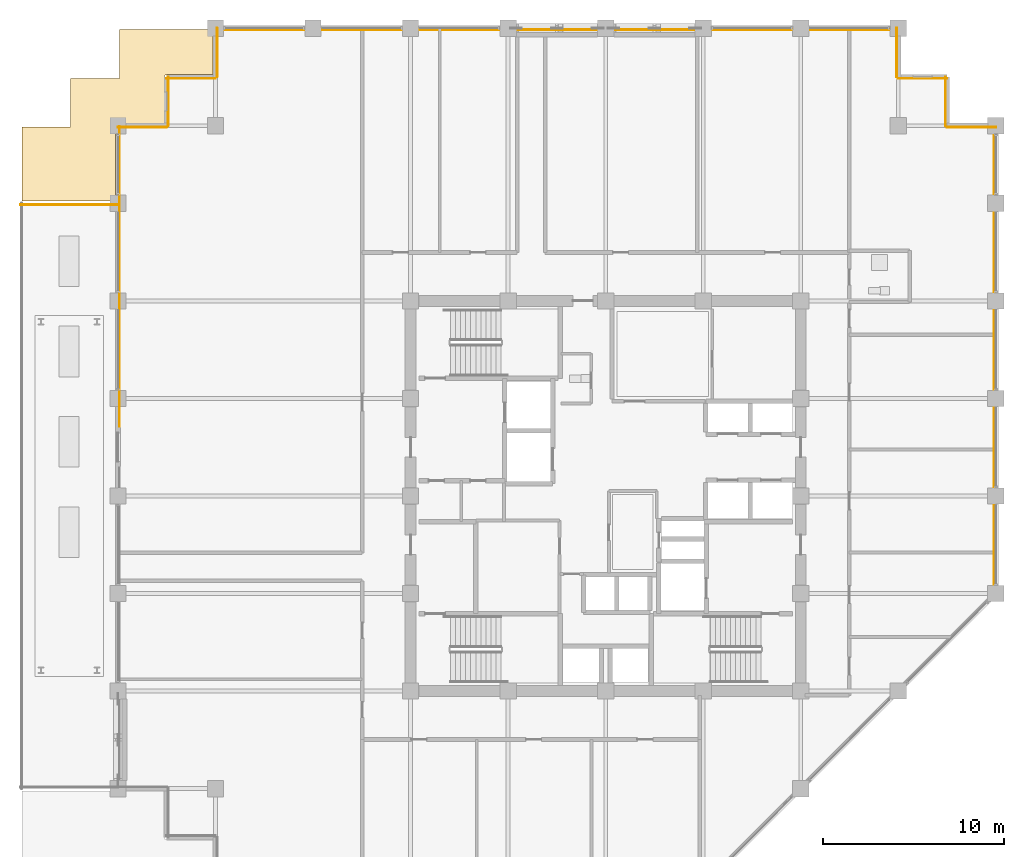
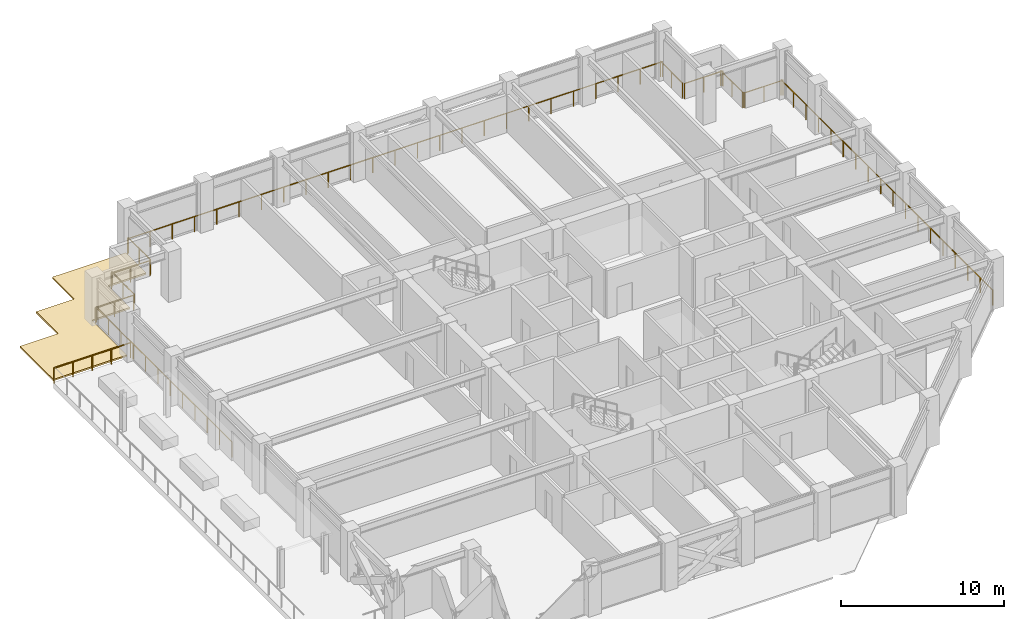
# One storey, part 34 of 36: 12 railings, 1 covering.
"""IFC4 building model written with IfcOpenShell, lengths in metres."""

import ifcopenshell
import ifcopenshell.guid

model = None  # the IFC model being written
_history = None  # IfcOwnerHistory: only IFC2X3 demands one
_inside = {}  # id of a spatial element -> (the spatial element, [elements in it])
_under = {}  # id of a project, library or spatial element -> (it, [spatial elements below it])
_declared = {}  # id of a project -> (the project, [libraries it declares])
_typed = {}  # id of a type object -> (the type object, [elements of that type])
_made_of = {}  # id of a material, layer set ... -> (it, [elements and type objects made of it])


def new_model(schema):
    """Start an empty IFC model of exactly this schema.

    Asked for "IFC4X3", IfcOpenShell would pick the latest addendum, in which some entities
    have other attributes; the version numbers below select the first issue.
    IFC2X3 requires an IfcOwnerHistory on every rooted entity: one is made here for all.
    """
    global model, _history
    if schema == "IFC4X3":
        model = ifcopenshell.file(schema_version=(4, 3, 0, 0))
    else:
        model = ifcopenshell.file(schema=schema)
    _inside.clear()
    _under.clear()
    _declared.clear()
    _typed.clear()
    _made_of.clear()
    _history = None
    if model.schema == "IFC2X3":
        org = make("IfcOrganization", Name="unknown")
        user = make(
            "IfcPersonAndOrganization",
            ThePerson=make("IfcPerson", FamilyName="unknown"),
            TheOrganization=org,
        )
        app = make(
            "IfcApplication",
            ApplicationDeveloper=org,
            Version="unknown",
            ApplicationFullName="unknown",
            ApplicationIdentifier="unknown",
        )
        _history = make(
            "IfcOwnerHistory",
            OwningUser=user,
            OwningApplication=app,
            ChangeAction="ADDED",
            CreationDate=0,
        )
    return model


def make(cls, **values):
    """One entity of the class cls with the attributes given. An attribute that is None is left unset."""
    return model.create_entity(
        cls, **{name: value for name, value in values.items() if value is not None}
    )


def rooted(cls, **values):
    """An entity with a GlobalId (a new one), such as an element, a storey or a relation."""
    return make(cls, GlobalId=ifcopenshell.guid.new(), OwnerHistory=_history, **values)


def si_unit(unit_type, name, prefix=None):
    """IfcSIUnit, for example si_unit("LENGTHUNIT", "METRE", prefix="MILLI")."""
    return make("IfcSIUnit", UnitType=unit_type, Prefix=prefix, Name=name)


def assignment(units):
    """IfcUnitAssignment: the units of a project."""
    return None if units is None else make("IfcUnitAssignment", Units=units)


def point(xyz):
    """IfcCartesianPoint."""
    return None if xyz is None else make("IfcCartesianPoint", Coordinates=xyz)


def direction(xyz):
    """IfcDirection."""
    return None if xyz is None else make("IfcDirection", DirectionRatios=xyz)


def frame(location, z_axis=None, x_axis=None):
    """IfcAxis2Placement3D, a coordinate frame: its origin and axes. An axis left out is left unset."""
    return make(
        "IfcAxis2Placement3D",
        Location=point(location),
        Axis=direction(z_axis),
        RefDirection=direction(x_axis),
    )


def frame_2d(location, x_axis=None):
    """IfcAxis2Placement2D, a coordinate frame in the plane: its origin and x axis."""
    return make(
        "IfcAxis2Placement2D", Location=point(location), RefDirection=direction(x_axis)
    )


def origin():
    """The frame at (0, 0, 0) with its axes left unset."""
    return frame((0.0, 0.0, 0.0))


def origin_2d():
    """The frame at (0, 0) in the plane with its x axis left unset."""
    return frame_2d((0.0, 0.0))


def place(relative_to, where):
    """IfcLocalPlacement: puts the frame where relative to a parent placement (None: the world)."""
    return make(
        "IfcLocalPlacement", PlacementRelTo=relative_to, RelativePlacement=where
    )


def context(
    kind, dimensions, precision=None, world=None, true_north=None, identifier=None
):
    """IfcGeometricRepresentationContext, for example the 3D "Model" context."""
    return make(
        "IfcGeometricRepresentationContext",
        ContextIdentifier=identifier,
        ContextType=kind,
        CoordinateSpaceDimension=dimensions,
        Precision=precision,
        WorldCoordinateSystem=world,
        TrueNorth=true_north,
    )


def subcontext(parent, identifier, kind, view, scale=None):
    """IfcGeometricRepresentationSubContext, for example "Body" below "Model"."""
    return make(
        "IfcGeometricRepresentationSubContext",
        ContextIdentifier=identifier,
        ContextType=kind,
        ParentContext=parent,
        TargetScale=scale,
        TargetView=view,
    )


def project(units=None, contexts=None):
    """IfcProject with its units and contexts."""
    return rooted(
        "IfcProject",
        Name="project",
        RepresentationContexts=contexts,
        UnitsInContext=assignment(units),
    )


def spatial(cls, under=None, at=None, **own):
    """A site, building, storey or space (cls), placed at a placement, below another one or the project."""
    s = rooted(cls, ObjectPlacement=at, **own)
    if under is not None:
        _under.setdefault(under.id(), (under, []))[1].append(s)
    return s


def polyline(points):
    """IfcPolyline through the points."""
    return make("IfcPolyline", Points=[point(p) for p in points])


def profile(cls, at=None, kind="AREA", **sizes):
    """A parametric profile (cls). Its sizes go by their IFC names, for example OverallWidth=200.0."""
    return make(cls, ProfileType=kind, Position=at, **sizes)


def circle(**sizes):
    """IfcCircleProfileDef."""
    return profile("IfcCircleProfileDef", **sizes)


def outline(outer, holes=None, kind="AREA"):
    """IfcArbitraryClosedProfileDef: a profile drawn as a closed curve; with holes, ...WithVoids."""
    if holes is None:
        return make("IfcArbitraryClosedProfileDef", ProfileType=kind, OuterCurve=outer)
    return make(
        "IfcArbitraryProfileDefWithVoids",
        ProfileType=kind,
        OuterCurve=outer,
        InnerCurves=holes,
    )


def extrude(swept, where, along, depth):
    """IfcExtrudedAreaSolid: the profile swept, set in the frame where, extruded along a direction by depth."""
    return make(
        "IfcExtrudedAreaSolid",
        SweptArea=swept,
        Position=where,
        ExtrudedDirection=direction(along),
        Depth=depth,
    )


def shape(context_of_items, identifier, shape_type, items):
    """IfcShapeRepresentation: the items that make up one representation, for example the "Body"."""
    return make(
        "IfcShapeRepresentation",
        ContextOfItems=context_of_items,
        RepresentationIdentifier=identifier,
        RepresentationType=shape_type,
        Items=items,
    )


def material(Name=None, Category=None):
    """IfcMaterial."""
    return make("IfcMaterial", Name=Name, Category=Category)


def layer(
    of_material, thickness, ventilated=None, Name=None, Category=None, Priority=None
):
    """IfcMaterialLayer: one layer of a wall or slab, of a material (None: an air gap)."""
    return make(
        "IfcMaterialLayer",
        Material=of_material,
        LayerThickness=thickness,
        IsVentilated=ventilated,
        Name=Name,
        Category=Category,
        Priority=Priority,
    )


def layer_set(layers, Name=None):
    """IfcMaterialLayerSet."""
    return make("IfcMaterialLayerSet", MaterialLayers=layers, LayerSetName=Name)


def made_of(thing, what):
    """Note that an element or type object is made of a material, layer set ...; save() writes the relation."""
    if what is not None:
        _made_of.setdefault(what.id(), (what, []))[1].append(thing)
    return thing


def type_object(cls, material=None, **own):
    """A type object (cls), such as IfcWallType, which elements share."""
    return made_of(rooted(cls, **own), material)


def element(
    cls,
    number,
    at=None,
    inside=None,
    cuts=None,
    type_object=None,
    material=None,
    context=None,
    identifier="Body",
    shape_type=None,
    held_by="IfcProductDefinitionShape",
    body=None,
    shapes=None,
    **own,
):
    """One element of the class cls, such as IfcWall. Its Tag is "e" and its number.

    at: its placement. inside: the storey or other place that contains it. cuts: it is an
    opening in that element (IfcRelVoidsElement). A single representation is given by context,
    identifier, shape_type and body (its items); several are given by shapes. held_by: the class
    of the entity that holds the representations. save() writes the other relations.
    """
    e = rooted(cls, Tag="e%d" % number, ObjectPlacement=at, **own)
    if body is not None:
        shapes = [shape(context, identifier, shape_type, body)]
    if shapes is not None:
        e.Representation = make(held_by, Representations=shapes)
    if inside is not None:
        _inside.setdefault(inside.id(), (inside, []))[1].append(e)
    if cuts is not None:
        rooted(
            "IfcRelVoidsElement", RelatingBuildingElement=cuts, RelatedOpeningElement=e
        )
    if type_object is not None:
        _typed.setdefault(type_object.id(), (type_object, []))[1].append(e)
    return made_of(e, material)


def aggregate(whole, parts):
    """IfcRelAggregates: a whole, such as a stair, and the parts it consists of."""
    return rooted("IfcRelAggregates", RelatingObject=whole, RelatedObjects=parts)


def save(model, path):
    """Write the relations noted so far, then the file.

    IfcRelAggregates (storeys below a building ...), IfcRelContainedInSpatialStructure (elements
    in a storey), IfcRelDefinesByType, IfcRelAssociatesMaterial and IfcRelDeclares: one each for
    every whole, place, type object, material and project.
    """
    for whole, parts in _under.values():
        aggregate(whole, parts)
    for where, things in _inside.values():
        rooted(
            "IfcRelContainedInSpatialStructure",
            RelatedElements=things,
            RelatingStructure=where,
        )
    for kind, things in _typed.values():
        rooted("IfcRelDefinesByType", RelatedObjects=things, RelatingType=kind)
    for what, things in _made_of.values():
        rooted("IfcRelAssociatesMaterial", RelatedObjects=things, RelatingMaterial=what)
    for by, libraries in _declared.values():
        rooted("IfcRelDeclares", RelatingContext=by, RelatedDefinitions=libraries)
    model.write(path)


model = new_model("IFC4")

# Units and contexts
model_context = context("Model", 3, precision=1e-05, world=origin(), true_north=direction((0.0, 1.0)))
body_context = subcontext(model_context, "Body", "Model", "MODEL_VIEW")
ifc_project = project(units=[si_unit("LENGTHUNIT", "METRE"), si_unit("AREAUNIT", "SQUARE_METRE"), si_unit("VOLUMEUNIT", "CUBIC_METRE"), si_unit("PLANEANGLEUNIT", "RADIAN"), si_unit("MASSUNIT", "GRAM", prefix="KILO")], contexts=[model_context])

# Site, building, storey
site_placement = place(None, origin())
site = spatial("IfcSite", under=ifc_project, at=site_placement, CompositionType="ELEMENT")
building_placement = place(site_placement, origin())
building = spatial("IfcBuilding", under=site, at=building_placement, Name="Surkhivell Harbour Commons", CompositionType="ELEMENT")
storey_placement = place(building_placement, frame((0.0, 0.0, 171.0)))
storey = spatial("IfcBuildingStorey", under=building, at=storey_placement, Name="L44", CompositionType="ELEMENT", Elevation=171.0)

# Covering
ifc_material_1 = material(Name="Inverted elastomeric waterproofing membrane and rigid insulation", Category="other")
ifc_layer = layer(ifc_material_1, 0.1201171875)
ifc_layer_set = layer_set([ifc_layer], Name="Inverted elastomeric waterproofing membrane and rigid insulation")
covering_type = type_object("IfcCoveringType", Name="COV-ROOF-MEM", PredefinedType="ROOFING", material=ifc_layer_set)
covering_placement = place(storey_placement, origin())
element("IfcCovering", 1, at=covering_placement, inside=storey, type_object=covering_type, Name="L44 Setback Waterproofing Roof Membrane 2-1", PredefinedType="ROOFING", context=body_context, shape_type="SweptSolid", body=[
    extrude(outline(polyline([(-32.320068359375, 16.330078125), (-27.1298828125, 16.330078125), (-27.1298828125, 20.501953125), (-27.12939453125, 20.5126953125), (-27.127685546875, 20.525390625), (-27.12451171875, 20.537841796875), (-27.1201171875, 20.5498046875), (-27.11474609375, 20.561279296875), (-27.108154296875, 20.572265625), (-27.1005859375, 20.58251953125), (-27.092041015625, 20.592041015625), (-27.08251953125, 20.6005859375), (-27.072265625, 20.608154296875), (-27.061279296875, 20.61474609375), (-27.0498046875, 20.6201171875), (-27.037841796875, 20.62451171875), (-27.025390625, 20.627685546875), (-27.0126953125, 20.62939453125), (-27.001953125, 20.6298828125), (-24.429931640625, 20.6298828125), (-24.429931640625, 23.201904296875), (-24.429443359375, 23.212890625), (-24.427490234375, 23.225341796875), (-24.424560546875, 23.23779296875), (-24.420166015625, 23.249755859375), (-24.414794921875, 23.26123046875), (-24.408203125, 23.272216796875), (-24.400634765625, 23.282470703125), (-24.39208984375, 23.2919921875), (-24.382568359375, 23.300537109375), (-24.372314453125, 23.30810546875), (-24.361328125, 23.314697265625), (-24.349853515625, 23.3203125), (-24.337890625, 23.324462890625), (-24.325439453125, 23.32763671875), (-24.312744140625, 23.32958984375), (-24.302001953125, 23.330078125), (-21.72998046875, 23.330078125), (-21.72998046875, 25.820068359375), (-26.919921875, 25.820068359375), (-26.919921875, 23.1201171875), (-29.6201171875, 23.1201171875), (-29.6201171875, 20.419921875), (-32.320068359375, 20.419921875), (-32.320068359375, 16.330078125)])), origin(), (0.0, 0.0, 1.0), 0.1201171875),
])

# Railings
ifc_material_2 = material(Name="Laminated safety glass and stainless steel S355 balustrade", Category="steel")
railing_type = type_object("IfcRailingType", Name="RAL-BAL-1150", PredefinedType="BALUSTRADE", material=ifc_material_2)
railing_1_placement = place(storey_placement, frame((21.510009765625, -5.39990234375, 0.0)))
element("IfcRailing", 2, at=railing_1_placement, inside=storey, type_object=railing_type, Name="L44 Perimeter Safety Guard 03", PredefinedType="BALUSTRADE", context=body_context, shape_type="SweptSolid", body=[
    extrude(circle(Radius=0.02392578125, at=origin_2d()), frame((0.0, 0.0, 1.1259765625), z_axis=(0.0, 1.0, 0.0), x_axis=(-1.0, 0.0, 0.0)), (0.0, 0.0, 1.0), 25.89990234375),
    extrude(circle(Radius=0.02099609375, at=origin_2d()), origin(), (0.0, 0.0, 1.0), 1.101806640625),
    extrude(circle(Radius=0.02099609375, at=origin_2d()), frame((0.0, 1.5234375, 0.0)), (0.0, 0.0, 1.0), 1.101806640625),
    extrude(circle(Radius=0.02099609375, at=origin_2d()), frame((0.0, 3.047119140625, 0.0)), (0.0, 0.0, 1.0), 1.101806640625),
    extrude(circle(Radius=0.02099609375, at=origin_2d()), frame((0.0, 4.570556640625, 0.0)), (0.0, 0.0, 1.0), 1.101806640625),
    extrude(circle(Radius=0.02099609375, at=origin_2d()), frame((0.0, 6.093994140625, 0.0)), (0.0, 0.0, 1.0), 1.101806640625),
    extrude(circle(Radius=0.02099609375, at=origin_2d()), frame((0.0, 7.61767578125, 0.0)), (0.0, 0.0, 1.0), 1.101806640625),
    extrude(circle(Radius=0.02099609375, at=origin_2d()), frame((0.0, 9.14111328125, 0.0)), (0.0, 0.0, 1.0), 1.101806640625),
    extrude(circle(Radius=0.02099609375, at=origin_2d()), frame((0.0, 10.66455078125, 0.0)), (0.0, 0.0, 1.0), 1.101806640625),
    extrude(circle(Radius=0.02099609375, at=origin_2d()), frame((0.0, 12.188232421875, 0.0)), (0.0, 0.0, 1.0), 1.101806640625),
    extrude(circle(Radius=0.02099609375, at=origin_2d()), frame((0.0, 13.711669921875, 0.0)), (0.0, 0.0, 1.0), 1.101806640625),
    extrude(circle(Radius=0.02099609375, at=origin_2d()), frame((0.0, 15.2353515625, 0.0)), (0.0, 0.0, 1.0), 1.101806640625),
    extrude(circle(Radius=0.02099609375, at=origin_2d()), frame((0.0, 16.7587890625, 0.0)), (0.0, 0.0, 1.0), 1.101806640625),
    extrude(circle(Radius=0.02099609375, at=origin_2d()), frame((0.0, 18.2822265625, 0.0)), (0.0, 0.0, 1.0), 1.101806640625),
    extrude(circle(Radius=0.02099609375, at=origin_2d()), frame((0.0, 19.805908203125, 0.0)), (0.0, 0.0, 1.0), 1.101806640625),
    extrude(circle(Radius=0.02099609375, at=origin_2d()), frame((0.0, 21.329345703125, 0.0)), (0.0, 0.0, 1.0), 1.101806640625),
    extrude(circle(Radius=0.02099609375, at=origin_2d()), frame((0.0, 22.852783203125, 0.0)), (0.0, 0.0, 1.0), 1.101806640625),
    extrude(circle(Radius=0.02099609375, at=origin_2d()), frame((0.0, 24.37646484375, 0.0)), (0.0, 0.0, 1.0), 1.101806640625),
    extrude(circle(Radius=0.02099609375, at=origin_2d()), frame((0.0, 25.89990234375, 0.0)), (0.0, 0.0, 1.0), 1.101806640625),
])
railing_2_placement = place(storey_placement, frame((21.60009765625, 20.409912109375, 0.0)))
element("IfcRailing", 3, at=railing_2_placement, inside=storey, type_object=railing_type, Name="L44 Perimeter Safety Guard 04", PredefinedType="BALUSTRADE", context=body_context, shape_type="SweptSolid", body=[
    extrude(circle(Radius=0.02392578125, at=origin_2d()), frame((0.0, 0.0, 1.1259765625), z_axis=(-1.0, 0.0, 0.0), x_axis=(0.0, -1.0, 0.0)), (0.0, 0.0, 1.0), 2.7001953125),
    extrude(circle(Radius=0.02099609375, at=origin_2d()), origin(), (0.0, 0.0, 1.0), 1.101806640625),
    extrude(circle(Radius=0.02099609375, at=origin_2d()), frame((-1.35009765625, 0.0, 0.0)), (0.0, 0.0, 1.0), 1.101806640625),
    extrude(circle(Radius=0.02099609375, at=origin_2d()), frame((-2.7001953125, 0.0, 0.0)), (0.0, 0.0, 1.0), 1.101806640625),
])
railing_3_placement = place(storey_placement, frame((18.81005859375, 20.5, 0.0)))
element("IfcRailing", 4, at=railing_3_placement, inside=storey, type_object=railing_type, Name="L44 Perimeter Safety Guard 05", PredefinedType="BALUSTRADE", context=body_context, shape_type="SweptSolid", body=[
    extrude(circle(Radius=0.02392578125, at=origin_2d()), frame((0.0, 0.0, 1.1259765625), z_axis=(0.0, 1.0, 0.0), x_axis=(-1.0, 0.0, 0.0)), (0.0, 0.0, 1.0), 2.699951171875),
    extrude(circle(Radius=0.02099609375, at=origin_2d()), origin(), (0.0, 0.0, 1.0), 1.101806640625),
    extrude(circle(Radius=0.02099609375, at=origin_2d()), frame((0.0, 1.35009765625, 0.0)), (0.0, 0.0, 1.0), 1.101806640625),
    extrude(circle(Radius=0.02099609375, at=origin_2d()), frame((0.0, 2.699951171875, 0.0)), (0.0, 0.0, 1.0), 1.101806640625),
])
railing_4_placement = place(storey_placement, frame((18.89990234375, 23.110107421875, 0.0)))
element("IfcRailing", 5, at=railing_4_placement, inside=storey, type_object=railing_type, Name="L44 Perimeter Safety Guard 06", PredefinedType="BALUSTRADE", context=body_context, shape_type="SweptSolid", body=[
    extrude(circle(Radius=0.02392578125, at=origin_2d()), frame((0.0, 0.0, 1.1259765625), z_axis=(-1.0, 0.0, 0.0), x_axis=(0.0, -1.0, 0.0)), (0.0, 0.0, 1.0), 2.699951171875),
    extrude(circle(Radius=0.02099609375, at=origin_2d()), origin(), (0.0, 0.0, 1.0), 1.101806640625),
    extrude(circle(Radius=0.02099609375, at=origin_2d()), frame((-1.35009765625, 0.0, 0.0)), (0.0, 0.0, 1.0), 1.101806640625),
    extrude(circle(Radius=0.02099609375, at=origin_2d()), frame((-2.699951171875, 0.0, 0.0)), (0.0, 0.0, 1.0), 1.101806640625),
])
railing_5_placement = place(storey_placement, frame((16.110107421875, 23.199951171875, 0.0)))
element("IfcRailing", 6, at=railing_5_placement, inside=storey, type_object=railing_type, Name="L44 Perimeter Safety Guard 07", PredefinedType="BALUSTRADE", context=body_context, shape_type="SweptSolid", body=[
    extrude(circle(Radius=0.02392578125, at=origin_2d()), frame((0.0, 0.0, 1.1259765625), z_axis=(0.0, 1.0, 0.0), x_axis=(-1.0, 0.0, 0.0)), (0.0, 0.0, 1.0), 2.699951171875),
    extrude(circle(Radius=0.02099609375, at=origin_2d()), origin(), (0.0, 0.0, 1.0), 1.101806640625),
    extrude(circle(Radius=0.02099609375, at=origin_2d()), frame((0.0, 1.35009765625, 0.0)), (0.0, 0.0, 1.0), 1.101806640625),
    extrude(circle(Radius=0.02099609375, at=origin_2d()), frame((0.0, 2.699951171875, 0.0)), (0.0, 0.0, 1.0), 1.101806640625),
])
railing_6_placement = place(storey_placement, frame((16.199951171875, 25.81005859375, 0.0)))
element("IfcRailing", 7, at=railing_6_placement, inside=storey, type_object=railing_type, Name="L44 Perimeter Safety Guard 08", PredefinedType="BALUSTRADE", context=body_context, shape_type="SweptSolid", body=[
    extrude(circle(Radius=0.02392578125, at=origin_2d()), frame((0.0, 0.0, 1.1259765625), z_axis=(-1.0, 0.0, 0.0), x_axis=(0.0, -1.0, 0.0)), (0.0, 0.0, 1.0), 37.800048828125),
    extrude(circle(Radius=0.02099609375, at=origin_2d()), origin(), (0.0, 0.0, 1.0), 1.101806640625),
    extrude(circle(Radius=0.02099609375, at=origin_2d()), frame((-1.574951171875, 0.0, 0.0)), (0.0, 0.0, 1.0), 1.101806640625),
    extrude(circle(Radius=0.02099609375, at=origin_2d()), frame((-3.14990234375, 0.0, 0.0)), (0.0, 0.0, 1.0), 1.101806640625),
    extrude(circle(Radius=0.02099609375, at=origin_2d()), frame((-4.72509765625, 0.0, 0.0)), (0.0, 0.0, 1.0), 1.101806640625),
    extrude(circle(Radius=0.02099609375, at=origin_2d()), frame((-6.300048828125, 0.0, 0.0)), (0.0, 0.0, 1.0), 1.101806640625),
    extrude(circle(Radius=0.02099609375, at=origin_2d()), frame((-7.875, 0.0, 0.0)), (0.0, 0.0, 1.0), 1.101806640625),
    extrude(circle(Radius=0.02099609375, at=origin_2d()), frame((-9.449951171875, 0.0, 0.0)), (0.0, 0.0, 1.0), 1.101806640625),
    extrude(circle(Radius=0.02099609375, at=origin_2d()), frame((-11.02490234375, 0.0, 0.0)), (0.0, 0.0, 1.0), 1.101806640625),
    extrude(circle(Radius=0.02099609375, at=origin_2d()), frame((-12.60009765625, 0.0, 0.0)), (0.0, 0.0, 1.0), 1.101806640625),
    extrude(circle(Radius=0.02099609375, at=origin_2d()), frame((-14.175048828125, 0.0, 0.0)), (0.0, 0.0, 1.0), 1.101806640625),
    extrude(circle(Radius=0.02099609375, at=origin_2d()), frame((-15.75, 0.0, 0.0)), (0.0, 0.0, 1.0), 1.101806640625),
    extrude(circle(Radius=0.02099609375, at=origin_2d()), frame((-17.324951171875, 0.0, 0.0)), (0.0, 0.0, 1.0), 1.101806640625),
    extrude(circle(Radius=0.02099609375, at=origin_2d()), frame((-18.89990234375, 0.0, 0.0)), (0.0, 0.0, 1.0), 1.101806640625),
    extrude(circle(Radius=0.02099609375, at=origin_2d()), frame((-20.47509765625, 0.0, 0.0)), (0.0, 0.0, 1.0), 1.101806640625),
    extrude(circle(Radius=0.02099609375, at=origin_2d()), frame((-22.050048828125, 0.0, 0.0)), (0.0, 0.0, 1.0), 1.101806640625),
    extrude(circle(Radius=0.02099609375, at=origin_2d()), frame((-23.625, 0.0, 0.0)), (0.0, 0.0, 1.0), 1.101806640625),
    extrude(circle(Radius=0.02099609375, at=origin_2d()), frame((-25.199951171875, 0.0, 0.0)), (0.0, 0.0, 1.0), 1.101806640625),
    extrude(circle(Radius=0.02099609375, at=origin_2d()), frame((-26.775146484375, 0.0, 0.0)), (0.0, 0.0, 1.0), 1.101806640625),
    extrude(circle(Radius=0.02099609375, at=origin_2d()), frame((-28.35009765625, 0.0, 0.0)), (0.0, 0.0, 1.0), 1.101806640625),
    extrude(circle(Radius=0.02099609375, at=origin_2d()), frame((-29.925048828125, 0.0, 0.0)), (0.0, 0.0, 1.0), 1.101806640625),
    extrude(circle(Radius=0.02099609375, at=origin_2d()), frame((-31.5, 0.0, 0.0)), (0.0, 0.0, 1.0), 1.101806640625),
    extrude(circle(Radius=0.02099609375, at=origin_2d()), frame((-33.074951171875, 0.0, 0.0)), (0.0, 0.0, 1.0), 1.101806640625),
    extrude(circle(Radius=0.02099609375, at=origin_2d()), frame((-34.650146484375, 0.0, 0.0)), (0.0, 0.0, 1.0), 1.101806640625),
    extrude(circle(Radius=0.02099609375, at=origin_2d()), frame((-36.22509765625, 0.0, 0.0)), (0.0, 0.0, 1.0), 1.101806640625),
    extrude(circle(Radius=0.02099609375, at=origin_2d()), frame((-37.800048828125, 0.0, 0.0)), (0.0, 0.0, 1.0), 1.101806640625),
])
railing_7_placement = place(storey_placement, frame((-21.510009765625, 25.89990234375, 0.0)))
element("IfcRailing", 8, at=railing_7_placement, inside=storey, type_object=railing_type, Name="L44 Perimeter Safety Guard 09", PredefinedType="BALUSTRADE", context=body_context, shape_type="SweptSolid", body=[
    extrude(circle(Radius=0.02392578125, at=origin_2d()), frame((0.0, 0.0, 1.1259765625), z_axis=(0.0, -1.0, 0.0), x_axis=(1.0, 0.0, 0.0)), (0.0, 0.0, 1.0), 2.699951171875),
    extrude(circle(Radius=0.02099609375, at=origin_2d()), origin(), (0.0, 0.0, 1.0), 1.101806640625),
    extrude(circle(Radius=0.02099609375, at=origin_2d()), frame((0.0, -1.35009765625, 0.0)), (0.0, 0.0, 1.0), 1.101806640625),
    extrude(circle(Radius=0.02099609375, at=origin_2d()), frame((0.0, -2.699951171875, 0.0)), (0.0, 0.0, 1.0), 1.101806640625),
])
railing_8_placement = place(storey_placement, frame((-21.60009765625, 23.110107421875, 0.0)))
element("IfcRailing", 9, at=railing_8_placement, inside=storey, type_object=railing_type, Name="L44 Perimeter Safety Guard 10", PredefinedType="BALUSTRADE", context=body_context, shape_type="SweptSolid", body=[
    extrude(circle(Radius=0.02392578125, at=origin_2d()), frame((0.0, 0.0, 1.1259765625), z_axis=(-1.0, 0.0, 0.0), x_axis=(0.0, -1.0, 0.0)), (0.0, 0.0, 1.0), 2.699951171875),
    extrude(circle(Radius=0.02099609375, at=origin_2d()), origin(), (0.0, 0.0, 1.0), 1.101806640625),
    extrude(circle(Radius=0.02099609375, at=origin_2d()), frame((-1.35009765625, 0.0, 0.0)), (0.0, 0.0, 1.0), 1.101806640625),
    extrude(circle(Radius=0.02099609375, at=origin_2d()), frame((-2.699951171875, 0.0, 0.0)), (0.0, 0.0, 1.0), 1.101806640625),
])
railing_9_placement = place(storey_placement, frame((-24.2099609375, 23.199951171875, 0.0)))
element("IfcRailing", 10, at=railing_9_placement, inside=storey, type_object=railing_type, Name="L44 Perimeter Safety Guard 11", PredefinedType="BALUSTRADE", context=body_context, shape_type="SweptSolid", body=[
    extrude(circle(Radius=0.02392578125, at=origin_2d()), frame((0.0, 0.0, 1.1259765625), z_axis=(0.0, -1.0, 0.0), x_axis=(1.0, 0.0, 0.0)), (0.0, 0.0, 1.0), 2.699951171875),
    extrude(circle(Radius=0.02099609375, at=origin_2d()), origin(), (0.0, 0.0, 1.0), 1.101806640625),
    extrude(circle(Radius=0.02099609375, at=origin_2d()), frame((0.0, -1.35009765625, 0.0)), (0.0, 0.0, 1.0), 1.101806640625),
    extrude(circle(Radius=0.02099609375, at=origin_2d()), frame((0.0, -2.699951171875, 0.0)), (0.0, 0.0, 1.0), 1.101806640625),
])
railing_10_placement = place(storey_placement, frame((-24.300048828125, 20.409912109375, 0.0)))
element("IfcRailing", 11, at=railing_10_placement, inside=storey, type_object=railing_type, Name="L44 Perimeter Safety Guard 12", PredefinedType="BALUSTRADE", context=body_context, shape_type="SweptSolid", body=[
    extrude(circle(Radius=0.02392578125, at=origin_2d()), frame((0.0, 0.0, 1.1259765625), z_axis=(-1.0, 0.0, 0.0), x_axis=(0.0, -1.0, 0.0)), (0.0, 0.0, 1.0), 2.699951171875),
    extrude(circle(Radius=0.02099609375, at=origin_2d()), origin(), (0.0, 0.0, 1.0), 1.101806640625),
    extrude(circle(Radius=0.02099609375, at=origin_2d()), frame((-1.35009765625, 0.0, 0.0)), (0.0, 0.0, 1.0), 1.101806640625),
    extrude(circle(Radius=0.02099609375, at=origin_2d()), frame((-2.699951171875, 0.0, 0.0)), (0.0, 0.0, 1.0), 1.101806640625),
])
railing_11_placement = place(storey_placement, frame((-26.909912109375, 3.85009765625, 0.0)))
element("IfcRailing", 12, at=railing_11_placement, inside=storey, type_object=railing_type, Name="L44 Perimeter Safety Guard 13B", PredefinedType="BALUSTRADE", context=body_context, shape_type="SweptSolid", body=[
    extrude(circle(Radius=0.02392578125, at=origin_2d()), frame((0.0, 0.0, 1.1259765625), z_axis=(0.0, 1.0, 0.0), x_axis=(-1.0, 0.0, 0.0)), (0.0, 0.0, 1.0), 16.599853515625),
    extrude(circle(Radius=0.02099609375, at=origin_2d()), origin(), (0.0, 0.0, 1.0), 1.101806640625),
    extrude(circle(Radius=0.02099609375, at=origin_2d()), frame((0.0, 1.509033203125, 0.0)), (0.0, 0.0, 1.0), 1.101806640625),
    extrude(circle(Radius=0.02099609375, at=origin_2d()), frame((0.0, 3.01806640625, 0.0)), (0.0, 0.0, 1.0), 1.101806640625),
    extrude(circle(Radius=0.02099609375, at=origin_2d()), frame((0.0, 4.52734375, 0.0)), (0.0, 0.0, 1.0), 1.101806640625),
    extrude(circle(Radius=0.02099609375, at=origin_2d()), frame((0.0, 6.036376953125, 0.0)), (0.0, 0.0, 1.0), 1.101806640625),
    extrude(circle(Radius=0.02099609375, at=origin_2d()), frame((0.0, 7.54541015625, 0.0)), (0.0, 0.0, 1.0), 1.101806640625),
    extrude(circle(Radius=0.02099609375, at=origin_2d()), frame((0.0, 9.054443359375, 0.0)), (0.0, 0.0, 1.0), 1.101806640625),
    extrude(circle(Radius=0.02099609375, at=origin_2d()), frame((0.0, 10.5634765625, 0.0)), (0.0, 0.0, 1.0), 1.101806640625),
    extrude(circle(Radius=0.02099609375, at=origin_2d()), frame((0.0, 12.072509765625, 0.0)), (0.0, 0.0, 1.0), 1.101806640625),
    extrude(circle(Radius=0.02099609375, at=origin_2d()), frame((0.0, 13.581787109375, 0.0)), (0.0, 0.0, 1.0), 1.101806640625),
    extrude(circle(Radius=0.02099609375, at=origin_2d()), frame((0.0, 15.0908203125, 0.0)), (0.0, 0.0, 1.0), 1.101806640625),
    extrude(circle(Radius=0.02099609375, at=origin_2d()), frame((0.0, 16.599853515625, 0.0)), (0.0, 0.0, 1.0), 1.101806640625),
])
railing_12_placement = place(storey_placement, frame((-27.0, 16.1201171875, 0.0)))
element("IfcRailing", 13, at=railing_12_placement, inside=storey, type_object=railing_type, Name="L44 Sky-Garden Terrace Balustrade 3", PredefinedType="BALUSTRADE", context=body_context, shape_type="SweptSolid", body=[
    extrude(circle(Radius=0.02392578125, at=origin_2d()), frame((0.0, 0.0, 1.1259765625), z_axis=(-1.0, 0.0, 0.0), x_axis=(0.0, -1.0, 0.0)), (0.0, 0.0, 1.0), 5.39990234375),
    extrude(circle(Radius=0.02099609375, at=origin_2d()), origin(), (0.0, 0.0, 1.0), 1.101806640625),
    extrude(circle(Radius=0.02099609375, at=origin_2d()), frame((-1.35009765625, 0.0, 0.0)), (0.0, 0.0, 1.0), 1.101806640625),
    extrude(circle(Radius=0.02099609375, at=origin_2d()), frame((-2.699951171875, 0.0, 0.0)), (0.0, 0.0, 1.0), 1.101806640625),
    extrude(circle(Radius=0.02099609375, at=origin_2d()), frame((-4.0498046875, 0.0, 0.0)), (0.0, 0.0, 1.0), 1.101806640625),
    extrude(circle(Radius=0.02099609375, at=origin_2d()), frame((-5.39990234375, 0.0, 0.0)), (0.0, 0.0, 1.0), 1.101806640625),
])

save(model, "model.ifc")
